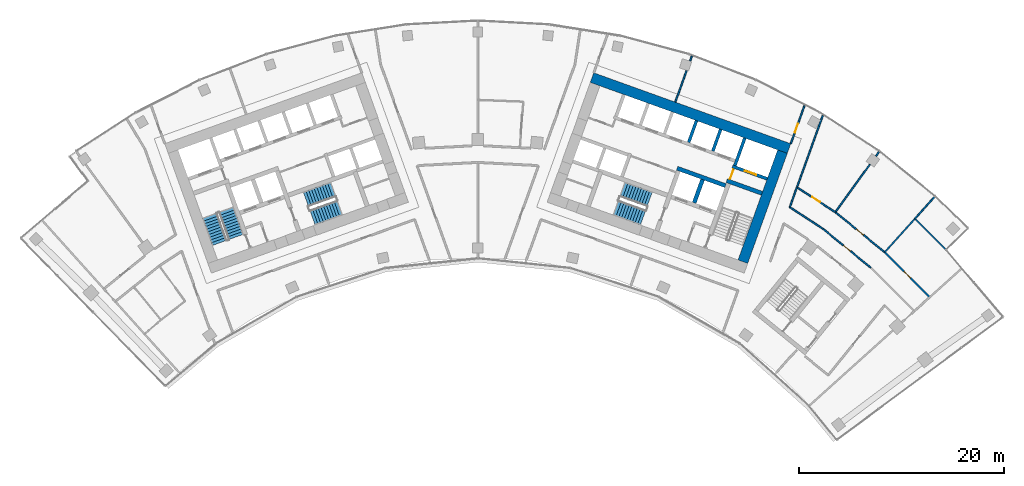
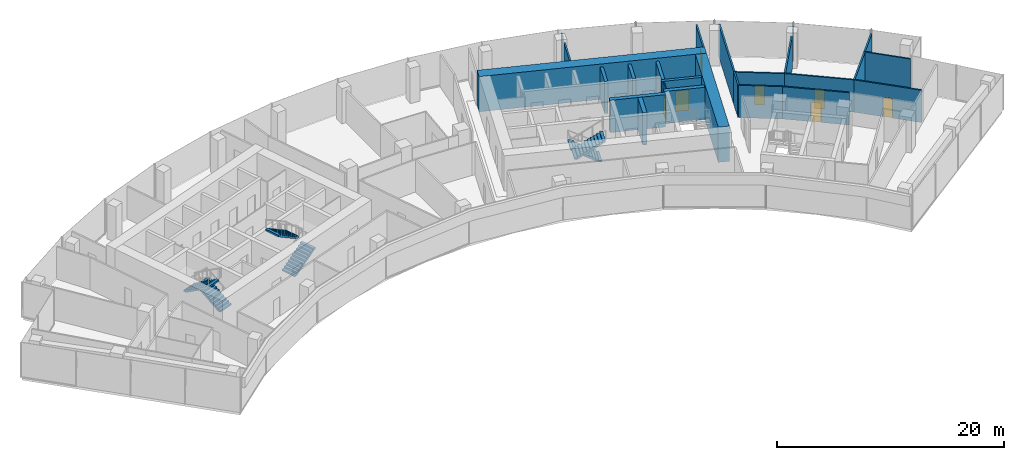
# One storey, part 16 of 18: 25 walls, 7 doors, 6 stair flights, 7 openings, 3 elements without a shape of their own.
"""IFC4 building model written with IfcOpenShell, lengths in metres."""

import ifcopenshell
import ifcopenshell.guid

model = None  # the IFC model being written
_history = None  # IfcOwnerHistory: only IFC2X3 demands one
_inside = {}  # id of a spatial element -> (the spatial element, [elements in it])
_under = {}  # id of a project, library or spatial element -> (it, [spatial elements below it])
_declared = {}  # id of a project -> (the project, [libraries it declares])
_typed = {}  # id of a type object -> (the type object, [elements of that type])
_made_of = {}  # id of a material, layer set ... -> (it, [elements and type objects made of it])


def new_model(schema):
    """Start an empty IFC model of exactly this schema.

    Asked for "IFC4X3", IfcOpenShell would pick the latest addendum, in which some entities
    have other attributes; the version numbers below select the first issue.
    IFC2X3 requires an IfcOwnerHistory on every rooted entity: one is made here for all.
    """
    global model, _history
    if schema == "IFC4X3":
        model = ifcopenshell.file(schema_version=(4, 3, 0, 0))
    else:
        model = ifcopenshell.file(schema=schema)
    _inside.clear()
    _under.clear()
    _declared.clear()
    _typed.clear()
    _made_of.clear()
    _history = None
    if model.schema == "IFC2X3":
        org = make("IfcOrganization", Name="unknown")
        user = make(
            "IfcPersonAndOrganization",
            ThePerson=make("IfcPerson", FamilyName="unknown"),
            TheOrganization=org,
        )
        app = make(
            "IfcApplication",
            ApplicationDeveloper=org,
            Version="unknown",
            ApplicationFullName="unknown",
            ApplicationIdentifier="unknown",
        )
        _history = make(
            "IfcOwnerHistory",
            OwningUser=user,
            OwningApplication=app,
            ChangeAction="ADDED",
            CreationDate=0,
        )
    return model


def make(cls, **values):
    """One entity of the class cls with the attributes given. An attribute that is None is left unset."""
    return model.create_entity(
        cls, **{name: value for name, value in values.items() if value is not None}
    )


def rooted(cls, **values):
    """An entity with a GlobalId (a new one), such as an element, a storey or a relation."""
    return make(cls, GlobalId=ifcopenshell.guid.new(), OwnerHistory=_history, **values)


def si_unit(unit_type, name, prefix=None):
    """IfcSIUnit, for example si_unit("LENGTHUNIT", "METRE", prefix="MILLI")."""
    return make("IfcSIUnit", UnitType=unit_type, Prefix=prefix, Name=name)


def assignment(units):
    """IfcUnitAssignment: the units of a project."""
    return None if units is None else make("IfcUnitAssignment", Units=units)


def point(xyz):
    """IfcCartesianPoint."""
    return None if xyz is None else make("IfcCartesianPoint", Coordinates=xyz)


def direction(xyz):
    """IfcDirection."""
    return None if xyz is None else make("IfcDirection", DirectionRatios=xyz)


def frame(location, z_axis=None, x_axis=None):
    """IfcAxis2Placement3D, a coordinate frame: its origin and axes. An axis left out is left unset."""
    return make(
        "IfcAxis2Placement3D",
        Location=point(location),
        Axis=direction(z_axis),
        RefDirection=direction(x_axis),
    )


def frame_2d(location, x_axis=None):
    """IfcAxis2Placement2D, a coordinate frame in the plane: its origin and x axis."""
    return make(
        "IfcAxis2Placement2D", Location=point(location), RefDirection=direction(x_axis)
    )


def origin():
    """The frame at (0, 0, 0) with its axes left unset."""
    return frame((0.0, 0.0, 0.0))


def place(relative_to, where):
    """IfcLocalPlacement: puts the frame where relative to a parent placement (None: the world)."""
    return make(
        "IfcLocalPlacement", PlacementRelTo=relative_to, RelativePlacement=where
    )


def context(
    kind, dimensions, precision=None, world=None, true_north=None, identifier=None
):
    """IfcGeometricRepresentationContext, for example the 3D "Model" context."""
    return make(
        "IfcGeometricRepresentationContext",
        ContextIdentifier=identifier,
        ContextType=kind,
        CoordinateSpaceDimension=dimensions,
        Precision=precision,
        WorldCoordinateSystem=world,
        TrueNorth=true_north,
    )


def subcontext(parent, identifier, kind, view, scale=None):
    """IfcGeometricRepresentationSubContext, for example "Body" below "Model"."""
    return make(
        "IfcGeometricRepresentationSubContext",
        ContextIdentifier=identifier,
        ContextType=kind,
        ParentContext=parent,
        TargetScale=scale,
        TargetView=view,
    )


def project(units=None, contexts=None):
    """IfcProject with its units and contexts."""
    return rooted(
        "IfcProject",
        Name="project",
        RepresentationContexts=contexts,
        UnitsInContext=assignment(units),
    )


def spatial(cls, under=None, at=None, **own):
    """A site, building, storey or space (cls), placed at a placement, below another one or the project."""
    s = rooted(cls, ObjectPlacement=at, **own)
    if under is not None:
        _under.setdefault(under.id(), (under, []))[1].append(s)
    return s


def polyline(points):
    """IfcPolyline through the points."""
    return make("IfcPolyline", Points=[point(p) for p in points])


def profile(cls, at=None, kind="AREA", **sizes):
    """A parametric profile (cls). Its sizes go by their IFC names, for example OverallWidth=200.0."""
    return make(cls, ProfileType=kind, Position=at, **sizes)


def rectangle(**sizes):
    """IfcRectangleProfileDef."""
    return profile("IfcRectangleProfileDef", **sizes)


def outline(outer, holes=None, kind="AREA"):
    """IfcArbitraryClosedProfileDef: a profile drawn as a closed curve; with holes, ...WithVoids."""
    if holes is None:
        return make("IfcArbitraryClosedProfileDef", ProfileType=kind, OuterCurve=outer)
    return make(
        "IfcArbitraryProfileDefWithVoids",
        ProfileType=kind,
        OuterCurve=outer,
        InnerCurves=holes,
    )


def extrude(swept, where, along, depth):
    """IfcExtrudedAreaSolid: the profile swept, set in the frame where, extruded along a direction by depth."""
    return make(
        "IfcExtrudedAreaSolid",
        SweptArea=swept,
        Position=where,
        ExtrudedDirection=direction(along),
        Depth=depth,
    )


def shape(context_of_items, identifier, shape_type, items):
    """IfcShapeRepresentation: the items that make up one representation, for example the "Body"."""
    return make(
        "IfcShapeRepresentation",
        ContextOfItems=context_of_items,
        RepresentationIdentifier=identifier,
        RepresentationType=shape_type,
        Items=items,
    )


def material(Name=None, Category=None):
    """IfcMaterial."""
    return make("IfcMaterial", Name=Name, Category=Category)


def layer(
    of_material, thickness, ventilated=None, Name=None, Category=None, Priority=None
):
    """IfcMaterialLayer: one layer of a wall or slab, of a material (None: an air gap)."""
    return make(
        "IfcMaterialLayer",
        Material=of_material,
        LayerThickness=thickness,
        IsVentilated=ventilated,
        Name=Name,
        Category=Category,
        Priority=Priority,
    )


def layer_set(layers, Name=None):
    """IfcMaterialLayerSet."""
    return make("IfcMaterialLayerSet", MaterialLayers=layers, LayerSetName=Name)


def made_of(thing, what):
    """Note that an element or type object is made of a material, layer set ...; save() writes the relation."""
    if what is not None:
        _made_of.setdefault(what.id(), (what, []))[1].append(thing)
    return thing


def type_object(cls, material=None, **own):
    """A type object (cls), such as IfcWallType, which elements share."""
    return made_of(rooted(cls, **own), material)


def element(
    cls,
    number,
    at=None,
    inside=None,
    cuts=None,
    type_object=None,
    material=None,
    context=None,
    identifier="Body",
    shape_type=None,
    held_by="IfcProductDefinitionShape",
    body=None,
    shapes=None,
    **own,
):
    """One element of the class cls, such as IfcWall. Its Tag is "e" and its number.

    at: its placement. inside: the storey or other place that contains it. cuts: it is an
    opening in that element (IfcRelVoidsElement). A single representation is given by context,
    identifier, shape_type and body (its items); several are given by shapes. held_by: the class
    of the entity that holds the representations. save() writes the other relations.
    """
    e = rooted(cls, Tag="e%d" % number, ObjectPlacement=at, **own)
    if body is not None:
        shapes = [shape(context, identifier, shape_type, body)]
    if shapes is not None:
        e.Representation = make(held_by, Representations=shapes)
    if inside is not None:
        _inside.setdefault(inside.id(), (inside, []))[1].append(e)
    if cuts is not None:
        rooted(
            "IfcRelVoidsElement", RelatingBuildingElement=cuts, RelatedOpeningElement=e
        )
    if type_object is not None:
        _typed.setdefault(type_object.id(), (type_object, []))[1].append(e)
    return made_of(e, material)


def fill(opening, filler):
    """IfcRelFillsElement: the door or window that sits in an opening."""
    return rooted(
        "IfcRelFillsElement",
        RelatingOpeningElement=opening,
        RelatedBuildingElement=filler,
    )


def aggregate(whole, parts):
    """IfcRelAggregates: a whole, such as a stair, and the parts it consists of."""
    return rooted("IfcRelAggregates", RelatingObject=whole, RelatedObjects=parts)


def save(model, path):
    """Write the relations noted so far, then the file.

    IfcRelAggregates (storeys below a building ...), IfcRelContainedInSpatialStructure (elements
    in a storey), IfcRelDefinesByType, IfcRelAssociatesMaterial and IfcRelDeclares: one each for
    every whole, place, type object, material and project.
    """
    for whole, parts in _under.values():
        aggregate(whole, parts)
    for where, things in _inside.values():
        rooted(
            "IfcRelContainedInSpatialStructure",
            RelatedElements=things,
            RelatingStructure=where,
        )
    for kind, things in _typed.values():
        rooted("IfcRelDefinesByType", RelatedObjects=things, RelatingType=kind)
    for what, things in _made_of.values():
        rooted("IfcRelAssociatesMaterial", RelatedObjects=things, RelatingMaterial=what)
    for by, libraries in _declared.values():
        rooted("IfcRelDeclares", RelatingContext=by, RelatedDefinitions=libraries)
    model.write(path)


model = new_model("IFC4")

# Units and contexts
model_context = context("Model", 3, precision=1e-05, world=origin(), true_north=direction((0.0, 1.0)))
body_context = subcontext(model_context, "Body", "Model", "MODEL_VIEW")
ifc_project = project(units=[si_unit("LENGTHUNIT", "METRE"), si_unit("AREAUNIT", "SQUARE_METRE"), si_unit("VOLUMEUNIT", "CUBIC_METRE"), si_unit("PLANEANGLEUNIT", "RADIAN"), si_unit("MASSUNIT", "GRAM", prefix="KILO")], contexts=[model_context])

# Site, building, storey
site_placement = place(None, origin())
site = spatial("IfcSite", under=ifc_project, at=site_placement, CompositionType="ELEMENT")
building_placement = place(site_placement, origin())
building = spatial("IfcBuilding", under=site, at=building_placement, Name="Stone Belt Terrace Tower", CompositionType="ELEMENT")
storey_placement = place(building_placement, frame((0.0, 0.0, 220.0)))
storey = spatial("IfcBuildingStorey", under=building, at=storey_placement, Name="L53", CompositionType="ELEMENT", Elevation=220.0)

# Wall, opening, door
ifc_material_1 = material(Name="Plasterboard partition")
ifc_layer_1 = layer(ifc_material_1, 0.10009765625)
ifc_layer_set_1 = layer_set([ifc_layer_1], Name="Core partition 100")
wall_type_1 = type_object("IfcWallType", Name="Core partition 100", PredefinedType="PARTITIONING", material=ifc_layer_set_1)
wall_1_placement = place(storey_placement, frame((24.555908203125, 51.10400390625, 0.0), z_axis=(0.0, 0.0, 1.0), x_axis=(0.338621735342, 0.94092258999, 0.0)))
wall_1 = element("IfcWall", 1, at=wall_1_placement, inside=storey, type_object=wall_type_1, Name="Core B wall", PredefinedType="PARTITIONING", context=body_context, shape_type="SweptSolid", body=[
    extrude(rectangle(XDim=1.14990234375, YDim=0.10009765625, at=frame_2d((0.574951171875, 0.0))), origin(), (0.0, 0.0, 1.0), 3.47998046875),
])
opening_1_placement = place(wall_1_placement, frame((0.050048828125, 0.0, 0.0)))
opening_1 = element("IfcOpeningElement", 2, at=opening_1_placement, cuts=wall_1, Name="Opening L53-C14", PredefinedType="OPENING", context=body_context, shape_type="SweptSolid", body=[
    extrude(rectangle(XDim=1.0, YDim=2.10009765625, at=frame_2d((0.5, 1.050048828125))), frame((0.0, 0.06005859375, 0.0), z_axis=(0.0, -1.0, 0.0), x_axis=(1.0, 0.0, 0.0)), (0.0, 0.0, 1.0), 0.1201171875),
])
ifc_material_2 = material(Name="Timber door leaf", Category="wood")
door_type_1 = type_object("IfcDoorType", Name="Core room door 1000", OperationType="SINGLE_SWING_LEFT", PredefinedType="DOOR", material=ifc_material_2)
door_1_placement = place(opening_1_placement, origin())
door_1 = element("IfcDoor", 3, at=door_1_placement, inside=storey, type_object=door_type_1, Name="Service lift lobby door core B", OperationType="SINGLE_SWING_RIGHT", OverallHeight=2.10009765625, OverallWidth=1.0, PredefinedType="DOOR", context=body_context, shape_type="SweptSolid", body=[
    extrude(rectangle(XDim=1.0, YDim=2.10009765625, at=frame_2d((0.5, 1.050048828125))), frame((0.0, 0.02490234375, 0.0), z_axis=(0.0, -1.0, 0.0), x_axis=(1.0, 0.0, 0.0)), (0.0, 0.0, 1.0), 0.050048828125),
])
fill(opening_1, door_1)

# Walls
ifc_material_3 = material(Name="Concrete B60", Category="concrete")
ifc_layer_2 = layer(ifc_material_3, 1.0)
ifc_layer_set_2 = layer_set([ifc_layer_2], Name="Core wall 1000 B60")
wall_type_2 = type_object("IfcWallType", Name="Core wall 1000 B60", PredefinedType="SHEAR", material=ifc_layer_set_2)
wall_2_placement = place(storey_placement, frame((11.12646484375, 61.038330078125, 0.0), z_axis=(0.0, 0.0, 1.0), x_axis=(0.940921428504, -0.338624962727, 0.0)))
element("IfcWall", 4, at=wall_2_placement, inside=storey, type_object=wall_type_2, Name="Core B wall convex L53", PredefinedType="SHEAR", context=body_context, shape_type="SweptSolid", body=[
    extrude(rectangle(XDim=20.400146484375, YDim=1.0, at=frame_2d((10.2001953125, 0.0))), origin(), (0.0, 0.0, 1.0), 3.800048828125),
])
wall_3_placement = place(storey_placement, frame((25.821044921875, 43.102783203125, 0.0), z_axis=(0.0, 0.0, 1.0), x_axis=(0.338625431531, 0.940921259788, 0.0)))
element("IfcWall", 5, at=wall_3_placement, inside=storey, type_object=wall_type_2, Name="Core B wall end_b L53", PredefinedType="SHEAR", context=body_context, shape_type="SweptSolid", body=[
    extrude(rectangle(XDim=11.400146484375, YDim=1.0, at=frame_2d((5.7001953125, 0.0))), origin(), (0.0, 0.0, 1.0), 3.800048828125),
])
ifc_material_4 = material(Name="Concrete B80", Category="concrete")
ifc_layer_3 = layer(ifc_material_4, 0.39990234375)
ifc_layer_set_3 = layer_set([ifc_layer_3], Name="Fire-fighting lift shaft wall 400")
wall_type_3 = type_object("IfcWallType", Name="Fire-fighting lift shaft wall 400", PredefinedType="SHEAR", material=ifc_layer_set_3)
wall_4_placement = place(storey_placement, frame((24.130615234375, 50.512939453125, 0.0), z_axis=(0.0, 0.0, 1.0), x_axis=(-0.94091168377, 0.338652038744, 0.0)))
element("IfcWall", 6, at=wall_4_placement, inside=storey, type_object=wall_type_3, Name="Core B wall", PredefinedType="SHEAR", context=body_context, shape_type="SweptSolid", body=[
    extrude(rectangle(XDim=5.000244140625, YDim=0.39990234375, at=frame_2d((2.5, 0.0))), origin(), (0.0, 0.0, 1.0), 3.47998046875),
])
wall_5_placement = place(storey_placement, frame((21.0859375, 48.845458984375, 0.0), z_axis=(0.0, 0.0, 1.0), x_axis=(0.338629416206, 0.940919825745, 0.0)))
element("IfcWall", 7, at=wall_5_placement, inside=storey, type_object=wall_type_3, Name="Core B wall", PredefinedType="SHEAR", context=body_context, shape_type="SweptSolid", body=[
    extrude(rectangle(XDim=2.400146484375, YDim=0.39990234375, at=frame_2d((1.2001953125, 0.0))), origin(), (0.0, 0.0, 1.0), 3.47998046875),
])

# Wall, opening, door
ifc_layer_4 = layer(ifc_material_4, 0.300048828125)
ifc_layer_set_4 = layer_set([ifc_layer_4], Name="Lift shaft wall 300")
wall_type_4 = type_object("IfcWallType", Name="Lift shaft wall 300", PredefinedType="SHEAR", material=ifc_layer_set_4)
wall_6_placement = place(storey_placement, frame((28.195068359375, 51.17578125, 0.0), z_axis=(0.0, 0.0, 1.0), x_axis=(-0.940901243567, 0.338681044427, 0.0)))
wall_6 = element("IfcWall", 8, at=wall_6_placement, inside=storey, type_object=wall_type_4, Name="Core B wall", PredefinedType="SHEAR", context=body_context, shape_type="SweptSolid", body=[
    extrude(rectangle(XDim=3.599853515625, YDim=0.300048828125, at=frame_2d((1.7998046875, 0.0))), origin(), (0.0, 0.0, 1.0), 3.47998046875),
])
opening_2_placement = place(wall_6_placement, frame((1.1201171875, 0.0, 0.0)))
opening_2 = element("IfcOpeningElement", 9, at=opening_2_placement, cuts=wall_6, Name="Opening L53-LD16", PredefinedType="OPENING", context=body_context, shape_type="SweptSolid", body=[
    extrude(rectangle(XDim=1.199951171875, YDim=2.199951171875, at=frame_2d((0.60009765625, 1.10009765625))), frame((0.0, 0.159912109375, 0.0), z_axis=(0.0, -1.0, 0.0), x_axis=(1.0, 0.0, 0.0)), (0.0, 0.0, 1.0), 0.320068359375),
])
ifc_material_5 = material(Name="Stainless steel door leaf", Category="steel")
door_type_2 = type_object("IfcDoorType", Name="Landing door 1200", OperationType="SLIDING_TO_LEFT", PredefinedType="DOOR", material=ifc_material_5)
door_2_placement = place(opening_2_placement, origin())
door_2 = element("IfcDoor", 10, at=door_2_placement, inside=storey, type_object=door_type_2, Name="Landing door SV1 core B", OperationType="SLIDING_TO_LEFT", OverallHeight=2.199951171875, OverallWidth=1.199951171875, PredefinedType="DOOR", context=body_context, shape_type="SweptSolid", body=[
    extrude(rectangle(XDim=1.199951171875, YDim=2.199951171875, at=frame_2d((0.60009765625, 1.10009765625))), frame((0.0, 0.02490234375, 0.0), z_axis=(0.0, -1.0, 0.0), x_axis=(1.0, 0.0, 0.0)), (0.0, 0.0, 1.0), 0.050048828125),
])
fill(opening_2, door_2)

# Walls
wall_7_placement = place(storey_placement, frame((25.046875, 52.46826171875, 0.0), z_axis=(0.0, 0.0, 1.0), x_axis=(0.338549588058, 0.940948551423, 0.0)))
element("IfcWall", 11, at=wall_7_placement, inside=storey, type_object=wall_type_4, Name="Core B wall", PredefinedType="SHEAR", context=body_context, shape_type="SweptSolid", body=[
    extrude(rectangle(XDim=2.849853515625, YDim=0.300048828125, at=frame_2d((1.4248046875, 0.0))), origin(), (0.0, 0.0, 1.0), 3.47998046875),
])
wall_8_placement = place(storey_placement, frame((22.897705078125, 53.87939453125, 0.0), z_axis=(0.0, 0.0, 1.0), x_axis=(0.338535034312, 0.940953787677, 0.0)))
element("IfcWall", 12, at=wall_8_placement, inside=storey, type_object=wall_type_4, Name="Core B wall", PredefinedType="SHEAR", context=body_context, shape_type="SweptSolid", body=[
    extrude(rectangle(XDim=2.25, YDim=0.300048828125, at=frame_2d((1.125, 0.0))), origin(), (0.0, 0.0, 1.0), 3.47998046875),
])
wall_9_placement = place(storey_placement, frame((20.54541015625, 54.72607421875, 0.0), z_axis=(0.0, 0.0, 1.0), x_axis=(0.338569601369, 0.940941350472, 0.0)))
element("IfcWall", 13, at=wall_9_placement, inside=storey, type_object=wall_type_4, Name="Core B wall", PredefinedType="SHEAR", context=body_context, shape_type="SweptSolid", body=[
    extrude(rectangle(XDim=2.249755859375, YDim=0.300048828125, at=frame_2d((1.125, 0.0))), origin(), (0.0, 0.0, 1.0), 3.47998046875),
])

# Wall, opening, door
ifc_material_6 = material(Name="Gypsum board partition")
ifc_layer_5 = layer(ifc_material_6, 0.14990234375)
ifc_layer_set_5 = layer_set([ifc_layer_5], Name="PARTITION 150 EI 60")
wall_type_5 = type_object("IfcWallType", Name="PARTITION 150 EI 60", PredefinedType="PARTITIONING", material=ifc_layer_set_5)
wall_10_placement = place(storey_placement, frame((30.490966796875, 54.60107421875, 0.0), z_axis=(0.0, 0.0, 1.0), x_axis=(0.338542007836, 0.940951278723, 0.0)))
wall_10 = element("IfcWall", 14, at=wall_10_placement, inside=storey, type_object=wall_type_5, Name="L53/wall/i022", PredefinedType="PARTITIONING", context=body_context, shape_type="SweptSolid", body=[
    extrude(rectangle(XDim=3.946044921875, YDim=0.14990234375, at=frame_2d((1.97314453125, 0.0))), origin(), (0.0, 0.0, 1.0), 3.47998046875),
])
opening_3_placement = place(wall_10_placement, frame((1.15625, 0.0, 0.0)))
opening_3 = element("IfcOpeningElement", 15, at=opening_3_placement, cuts=wall_10, Name="Opening D-D3-08", PredefinedType="OPENING", context=body_context, shape_type="SweptSolid", body=[
    extrude(rectangle(XDim=0.89990234375, YDim=2.10009765625, at=frame_2d((0.449951171875, 1.050048828125))), frame((0.0, 0.0849609375, 0.0), z_axis=(0.0, -1.0, 0.0), x_axis=(1.0, 0.0, 0.0)), (0.0, 0.0, 1.0), 0.169921875),
])
door_type_3 = type_object("IfcDoorType", Name="OFFICE DOOR 900 X 2100", OperationType="NOTDEFINED", PredefinedType="DOOR", material=ifc_material_2)
door_3_placement = place(opening_3_placement, origin())
door_3 = element("IfcDoor", 16, at=door_3_placement, inside=storey, type_object=door_type_3, Name="L53/door/i08", OperationType="SINGLE_SWING_LEFT", OverallHeight=2.10009765625, OverallWidth=0.89990234375, PredefinedType="DOOR", context=body_context, shape_type="SweptSolid", body=[
    extrude(rectangle(XDim=0.89990234375, YDim=2.10009765625, at=frame_2d((0.449951171875, 1.050048828125))), frame((0.0, 0.02490234375, 0.0), z_axis=(0.0, -1.0, 0.0), x_axis=(1.0, 0.0, 0.0)), (0.0, 0.0, 1.0), 0.050048828125),
])
fill(opening_3, door_3)

# Walls
wall_11_placement = place(storey_placement, frame((31.092041015625, 50.363037109375, 0.0), z_axis=(0.0, 0.0, 1.0), x_axis=(-0.338719468273, -0.940887411869, 0.0)))
element("IfcWall", 17, at=wall_11_placement, inside=storey, type_object=wall_type_5, Name="L53/wall/i025", PredefinedType="PARTITIONING", context=body_context, shape_type="SweptSolid", body=[
    extrude(rectangle(XDim=2.075927734375, YDim=0.14990234375, at=frame_2d((1.0380859375, 0.0))), origin(), (0.0, 0.0, 1.0), 3.47998046875),
])
wall_12_placement = place(storey_placement, frame((33.60791015625, 57.35400390625, 0.0), z_axis=(0.0, 0.0, 1.0), x_axis=(-0.33863814551, -0.940916684094, 0.0)))
element("IfcWall", 18, at=wall_12_placement, inside=storey, type_object=wall_type_5, Name="L53/wall/i026", PredefinedType="PARTITIONING", context=body_context, shape_type="SweptSolid", body=[
    extrude(rectangle(XDim=7.441650390625, YDim=0.14990234375, at=frame_2d((3.720703125, 0.0))), origin(), (0.0, 0.0, 1.0), 3.47998046875),
])
wall_13_placement = place(storey_placement, frame((20.850830078125, 63.129150390625, 0.0), z_axis=(0.0, 0.0, 1.0), x_axis=(-0.338454301599, -0.940982829667, 0.0)))
element("IfcWall", 19, at=wall_13_placement, inside=storey, type_object=wall_type_5, Name="L53/wall/i030", PredefinedType="PARTITIONING", context=body_context, shape_type="SweptSolid", body=[
    extrude(rectangle(XDim=0.489013671875, YDim=0.14990234375, at=frame_2d((0.24462890625, 0.0))), origin(), (0.0, 0.0, 1.0), 3.47998046875),
])
wall_14_placement = place(storey_placement, frame((20.343017578125, 61.71826171875, 0.0), z_axis=(0.0, 0.0, 1.0), x_axis=(-0.33855509188, -0.940946571152, 0.0)))
element("IfcWall", 20, at=wall_14_placement, inside=storey, type_object=wall_type_5, Name="L53/wall/i031", PredefinedType="PARTITIONING", context=body_context, shape_type="SweptSolid", body=[
    extrude(rectangle(XDim=3.260986328125, YDim=0.14990234375, at=frame_2d((1.63037109375, 0.0))), origin(), (0.0, 0.0, 1.0), 3.47998046875),
])
wall_15_placement = place(storey_placement, frame((30.39111328125, 48.4150390625, 0.0), z_axis=(0.0, 0.0, 1.0), x_axis=(0.837265796004, -0.546796110851, 0.0)))
element("IfcWall", 21, at=wall_15_placement, inside=storey, type_object=wall_type_5, Name="L53/wall/i054", PredefinedType="PARTITIONING", context=body_context, shape_type="SweptSolid", body=[
    extrude(rectangle(XDim=3.87548828125, YDim=0.14990234375, at=frame_2d((1.937744140625, 0.0))), origin(), (0.0, 0.0, 1.0), 3.47998046875),
])

# Wall, opening, door
wall_16_placement = place(storey_placement, frame((33.635986328125, 46.2958984375, 0.0), z_axis=(0.0, 0.0, 1.0), x_axis=(0.777109127033, -0.629365875054, 0.0)))
wall_16 = element("IfcWall", 22, at=wall_16_placement, inside=storey, type_object=wall_type_5, Name="L53/wall/i055", PredefinedType="PARTITIONING", context=body_context, shape_type="SweptSolid", body=[
    extrude(rectangle(XDim=5.990234375, YDim=0.14990234375, at=frame_2d((2.9951171875, 0.0))), origin(), (0.0, 0.0, 1.0), 3.47998046875),
])
opening_4_placement = place(wall_16_placement, frame((2.545166015625, 0.0, 0.0)))
opening_4 = element("IfcOpeningElement", 23, at=opening_4_placement, cuts=wall_16, Name="Opening D-D3-19", PredefinedType="OPENING", context=body_context, shape_type="SweptSolid", body=[
    extrude(rectangle(XDim=0.89990234375, YDim=2.10009765625, at=frame_2d((0.449951171875, 1.050048828125))), frame((0.0, 0.0849609375, 0.0), z_axis=(0.0, -1.0, 0.0), x_axis=(1.0, 0.0, 0.0)), (0.0, 0.0, 1.0), 0.169921875),
])
door_4_placement = place(opening_4_placement, origin())
door_4 = element("IfcDoor", 24, at=door_4_placement, inside=storey, type_object=door_type_3, Name="L53/door/i19", OperationType="SINGLE_SWING_RIGHT", OverallHeight=2.10009765625, OverallWidth=0.89990234375, PredefinedType="DOOR", context=body_context, shape_type="SweptSolid", body=[
    extrude(rectangle(XDim=0.89990234375, YDim=2.10009765625, at=frame_2d((0.449951171875, 1.050048828125))), frame((0.0, 0.02490234375, 0.0), z_axis=(0.0, -1.0, 0.0), x_axis=(1.0, 0.0, 0.0)), (0.0, 0.0, 1.0), 0.050048828125),
])
fill(opening_4, door_4)

wall_17_placement = place(storey_placement, frame((31.090087890625, 50.35693359375, 0.0), z_axis=(0.0, 0.0, 1.0), x_axis=(0.838646515126, -0.544676071319, 0.0)))
wall_17 = element("IfcWall", 25, at=wall_17_placement, inside=storey, type_object=wall_type_5, Name="L53/wall/i061", PredefinedType="PARTITIONING", context=body_context, shape_type="SweptSolid", body=[
    extrude(rectangle(XDim=4.452392578125, YDim=0.14990234375, at=frame_2d((2.22607421875, 0.0))), origin(), (0.0, 0.0, 1.0), 3.47998046875),
])
opening_5_placement = place(wall_17_placement, frame((1.776123046875, 0.0, 0.0)))
opening_5 = element("IfcOpeningElement", 26, at=opening_5_placement, cuts=wall_17, Name="Opening D-D3-20", PredefinedType="OPENING", context=body_context, shape_type="SweptSolid", body=[
    extrude(rectangle(XDim=0.89990234375, YDim=2.10009765625, at=frame_2d((0.449951171875, 1.050048828125))), frame((0.0, 0.0849609375, 0.0), z_axis=(0.0, -1.0, 0.0), x_axis=(1.0, 0.0, 0.0)), (0.0, 0.0, 1.0), 0.169921875),
])
door_5_placement = place(opening_5_placement, origin())
door_5 = element("IfcDoor", 27, at=door_5_placement, inside=storey, type_object=door_type_3, Name="L53/door/i20", OperationType="SINGLE_SWING_RIGHT", OverallHeight=2.10009765625, OverallWidth=0.89990234375, PredefinedType="DOOR", context=body_context, shape_type="SweptSolid", body=[
    extrude(rectangle(XDim=0.89990234375, YDim=2.10009765625, at=frame_2d((0.449951171875, 1.050048828125))), frame((0.0, 0.02490234375, 0.0), z_axis=(0.0, -1.0, 0.0), x_axis=(1.0, 0.0, 0.0)), (0.0, 0.0, 1.0), 0.050048828125),
])
fill(opening_5, door_5)

wall_18_placement = place(storey_placement, frame((34.823974609375, 47.931884765625, 0.0), z_axis=(0.0, 0.0, 1.0), x_axis=(0.777176112755, -0.629283155473, 0.0)))
wall_18 = element("IfcWall", 28, at=wall_18_placement, inside=storey, type_object=wall_type_5, Name="L53/wall/i062", PredefinedType="PARTITIONING", context=body_context, shape_type="SweptSolid", body=[
    extrude(rectangle(XDim=6.2021484375, YDim=0.14990234375, at=frame_2d((3.10107421875, 0.0))), origin(), (0.0, 0.0, 1.0), 3.47998046875),
])
opening_6_placement = place(wall_18_placement, frame((2.651123046875, 0.0, 0.0)))
opening_6 = element("IfcOpeningElement", 29, at=opening_6_placement, cuts=wall_18, Name="Opening D-D3-21", PredefinedType="OPENING", context=body_context, shape_type="SweptSolid", body=[
    extrude(rectangle(XDim=0.89990234375, YDim=2.10009765625, at=frame_2d((0.449951171875, 1.050048828125))), frame((0.0, 0.0849609375, 0.0), z_axis=(0.0, -1.0, 0.0), x_axis=(1.0, 0.0, 0.0)), (0.0, 0.0, 1.0), 0.169921875),
])
door_6_placement = place(opening_6_placement, origin())
door_6 = element("IfcDoor", 30, at=door_6_placement, inside=storey, type_object=door_type_3, Name="L53/door/i21", OperationType="SINGLE_SWING_RIGHT", OverallHeight=2.10009765625, OverallWidth=0.89990234375, PredefinedType="DOOR", context=body_context, shape_type="SweptSolid", body=[
    extrude(rectangle(XDim=0.89990234375, YDim=2.10009765625, at=frame_2d((0.449951171875, 1.050048828125))), frame((0.0, 0.02490234375, 0.0), z_axis=(0.0, -1.0, 0.0), x_axis=(1.0, 0.0, 0.0)), (0.0, 0.0, 1.0), 0.050048828125),
])
fill(opening_6, door_6)

wall_19_placement = place(storey_placement, frame((39.639892578125, 44.032958984375, 0.0), z_axis=(0.0, 0.0, 1.0), x_axis=(0.707126447351, -0.707087114475, 0.0)))
wall_19 = element("IfcWall", 31, at=wall_19_placement, inside=storey, type_object=wall_type_5, Name="L53/wall/i063", PredefinedType="PARTITIONING", context=body_context, shape_type="SweptSolid", body=[
    extrude(rectangle(XDim=6.20703125, YDim=0.14990234375, at=frame_2d((3.103515625, 0.0))), origin(), (0.0, 0.0, 1.0), 3.47998046875),
])
opening_7_placement = place(wall_19_placement, frame((2.653564453125, 0.0, 0.0)))
opening_7 = element("IfcOpeningElement", 32, at=opening_7_placement, cuts=wall_19, Name="Opening D-D3-22", PredefinedType="OPENING", context=body_context, shape_type="SweptSolid", body=[
    extrude(rectangle(XDim=0.89990234375, YDim=2.10009765625, at=frame_2d((0.449951171875, 1.050048828125))), frame((0.0, 0.0849609375, 0.0), z_axis=(0.0, -1.0, 0.0), x_axis=(1.0, 0.0, 0.0)), (0.0, 0.0, 1.0), 0.169921875),
])
door_7_placement = place(opening_7_placement, origin())
door_7 = element("IfcDoor", 33, at=door_7_placement, inside=storey, type_object=door_type_3, Name="L53/door/i22", OperationType="SINGLE_SWING_RIGHT", OverallHeight=2.10009765625, OverallWidth=0.89990234375, PredefinedType="DOOR", context=body_context, shape_type="SweptSolid", body=[
    extrude(rectangle(XDim=0.89990234375, YDim=2.10009765625, at=frame_2d((0.449951171875, 1.050048828125))), frame((0.0, 0.02490234375, 0.0), z_axis=(0.0, -1.0, 0.0), x_axis=(1.0, 0.0, 0.0)), (0.0, 0.0, 1.0), 0.050048828125),
])
fill(opening_7, door_7)

# Walls
wall_20_placement = place(storey_placement, frame((39.087890625, 53.7998046875, 0.0), z_axis=(0.0, 0.0, 1.0), x_axis=(-0.588057050604, -0.808819451568, 0.0)))
element("IfcWall", 34, at=wall_20_placement, inside=storey, type_object=wall_type_5, Name="L53/wall/i064", PredefinedType="PARTITIONING", context=body_context, shape_type="SweptSolid", body=[
    extrude(rectangle(XDim=0.506591796875, YDim=0.14990234375, at=frame_2d((0.25341796875, 0.0))), origin(), (0.0, 0.0, 1.0), 3.47998046875),
])
wall_21_placement = place(storey_placement, frame((38.196533203125, 52.572998046875, 0.0), z_axis=(0.0, 0.0, 1.0), x_axis=(-0.587741422295, -0.809048836918, 0.0)))
element("IfcWall", 35, at=wall_21_placement, inside=storey, type_object=wall_type_5, Name="L53/wall/i065", PredefinedType="PARTITIONING", context=body_context, shape_type="SweptSolid", body=[
    extrude(rectangle(XDim=5.736572265625, YDim=0.14990234375, at=frame_2d((2.8681640625, 0.0))), origin(), (0.0, 0.0, 1.0), 3.47998046875),
])
wall_22_placement = place(storey_placement, frame((42.592041015625, 47.302978515625, 0.0), z_axis=(0.0, 0.0, 1.0), x_axis=(-0.669148410698, -0.743128793992, 0.0)))
element("IfcWall", 36, at=wall_22_placement, inside=storey, type_object=wall_type_5, Name="L53/wall/i066", PredefinedType="PARTITIONING", context=body_context, shape_type="SweptSolid", body=[
    extrude(rectangle(XDim=4.405517578125, YDim=0.14990234375, at=frame_2d((2.20263671875, 0.0))), origin(), (0.0, 0.0, 1.0), 3.47998046875),
])
wall_23_placement = place(storey_placement, frame((44.496826171875, 49.419189453125, 0.0), z_axis=(0.0, 0.0, 1.0), x_axis=(-0.669158170693, -0.743120005514, 0.0)))
element("IfcWall", 37, at=wall_23_placement, inside=storey, type_object=wall_type_5, Name="L53/wall/i067", PredefinedType="PARTITIONING", context=body_context, shape_type="SweptSolid", body=[
    extrude(rectangle(XDim=2.858642578125, YDim=0.14990234375, at=frame_2d((1.42919921875, 0.0))), origin(), (0.0, 0.0, 1.0), 3.47998046875),
])
wall_24_placement = place(storey_placement, frame((42.587890625, 47.299072265625, 0.0), z_axis=(0.0, 0.0, 1.0), x_axis=(0.707106781187, -0.707106781187, 0.0)))
element("IfcWall", 38, at=wall_24_placement, inside=storey, type_object=wall_type_5, Name="L53/wall/i068", PredefinedType="PARTITIONING", context=body_context, shape_type="SweptSolid", body=[
    extrude(rectangle(XDim=4.2099609375, YDim=0.14990234375, at=frame_2d((2.10498046875, 0.0))), origin(), (0.0, 0.0, 1.0), 3.47998046875),
])
ifc_layer_6 = layer(ifc_material_4, 0.39990234375)
ifc_layer_set_6 = layer_set([ifc_layer_6], Name="Stair enclosure wall 400")
wall_type_6 = type_object("IfcWallType", Name="Stair enclosure wall 400", PredefinedType="SHEAR", material=ifc_layer_set_6)
wall_25_placement = place(storey_placement, frame((27.687255859375, 49.764404296875, 0.0), z_axis=(0.0, 0.0, 1.0), x_axis=(-0.940918954884, 0.338631835981, 0.0)))
element("IfcWall", 39, at=wall_25_placement, inside=storey, type_object=wall_type_6, Name="Core B wall", PredefinedType="SHEAR", context=body_context, shape_type="SweptSolid", body=[
    extrude(rectangle(XDim=3.650146484375, YDim=0.39990234375, at=frame_2d((1.8251953125, 0.0))), origin(), (0.0, 0.0, 1.0), 3.47998046875),
])

# Stair, stair flights
ifc_material_7 = material(Name="Concrete B40", Category="concrete")
stair_type = type_object("IfcStairType", Name="Exit stair 1500", PredefinedType="HALF_TURN_STAIR", material=ifc_material_7)
stair_1_placement = place(storey_placement, origin())
stair_1 = element("IfcStair", 40, at=stair_1_placement, inside=storey, type_object=stair_type, Name="L53 Exit stair 1 core A", PredefinedType="HALF_TURN_STAIR")
stair_flight_type = type_object("IfcStairFlightType", Name="Stair flight 1500", PredefinedType="STRAIGHT", material=ifc_material_7)
stair_flight_1_placement = place(storey_placement, frame((-23.55322265625, 45.51318359375, 0.0), z_axis=(0.0, 0.0, 1.0), x_axis=(-0.338624396177, 0.940921632398, 0.0)))
stair_flight_1 = element("IfcStairFlight", 41, at=stair_flight_1_placement, type_object=stair_flight_type, Name="ST1A flight 1", NumberOfRisers=11, NumberOfTreads=10, PredefinedType="STRAIGHT", RiserHeight=0.172727273, TreadLength=0.28, context=body_context, shape_type="SweptSolid", body=[
    extrude(outline(polyline([(0.0, 0.0), (0.0, 0.172607421875), (0.280029296875, 0.172607421875), (0.280029296875, 0.345458984375), (0.56005859375, 0.345458984375), (0.56005859375, 0.51806640625), (0.840087890625, 0.51806640625), (0.840087890625, 0.69091796875), (1.1201171875, 0.69091796875), (1.1201171875, 0.863525390625), (1.39990234375, 0.863525390625), (1.39990234375, 1.036376953125), (1.679931640625, 1.036376953125), (1.679931640625, 1.208984375), (1.9599609375, 1.208984375), (1.9599609375, 1.3818359375), (2.239990234375, 1.3818359375), (2.239990234375, 1.554443359375), (2.52001953125, 1.554443359375), (2.52001953125, 1.727294921875), (2.800048828125, 1.727294921875), (2.800048828125, 1.89990234375), (2.800048828125, 1.551025390625), (0.285400390625, 0.0), (0.0, 0.0)])), frame((0.0, 0.75, 0.0), z_axis=(0.0, -1.0, 0.0), x_axis=(1.0, 0.0, 0.0)), (0.0, 0.0, 1.0), 1.5),
])
stair_flight_2_placement = place(storey_placement, frame((-26.10107421875, 47.572021484375, 1.89990234375), z_axis=(0.0, 0.0, 1.0), x_axis=(0.338624396177, -0.940921632398, 0.0)))
stair_flight_2 = element("IfcStairFlight", 42, at=stair_flight_2_placement, type_object=stair_flight_type, Name="ST1A flight 2", NumberOfRisers=11, NumberOfTreads=10, PredefinedType="STRAIGHT", RiserHeight=0.172727273, TreadLength=0.28, context=body_context, shape_type="SweptSolid", body=[
    extrude(outline(polyline([(0.0, 0.0), (0.0, 0.172607421875), (0.280029296875, 0.172607421875), (0.280029296875, 0.345458984375), (0.56005859375, 0.345458984375), (0.56005859375, 0.51806640625), (0.840087890625, 0.51806640625), (0.840087890625, 0.69091796875), (1.1201171875, 0.69091796875), (1.1201171875, 0.863525390625), (1.39990234375, 0.863525390625), (1.39990234375, 1.036376953125), (1.679931640625, 1.036376953125), (1.679931640625, 1.208984375), (1.9599609375, 1.208984375), (1.9599609375, 1.3818359375), (2.239990234375, 1.3818359375), (2.239990234375, 1.554443359375), (2.52001953125, 1.554443359375), (2.52001953125, 1.727294921875), (2.800048828125, 1.727294921875), (2.800048828125, 1.89990234375), (2.800048828125, 1.551025390625), (0.285400390625, 0.0), (0.0, 0.0)])), frame((0.0, 0.75, 0.0), z_axis=(0.0, -1.0, 0.0), x_axis=(1.0, 0.0, 0.0)), (0.0, 0.0, 1.0), 1.5),
])
aggregate(stair_1, [stair_flight_1, stair_flight_2])

stair_2_placement = place(storey_placement, origin())
stair_2 = element("IfcStair", 43, at=stair_2_placement, inside=storey, type_object=stair_type, Name="L53 Exit stair 2 core A", PredefinedType="HALF_TURN_STAIR")
stair_flight_3_placement = place(storey_placement, frame((-16.101318359375, 47.39794921875, 0.0), z_axis=(0.0, 0.0, 1.0), x_axis=(0.940921632398, 0.338624396177, 0.0)))
stair_flight_3 = element("IfcStairFlight", 44, at=stair_flight_3_placement, type_object=stair_flight_type, Name="ST2A flight 1", NumberOfRisers=11, NumberOfTreads=10, PredefinedType="STRAIGHT", RiserHeight=0.172727273, TreadLength=0.28, context=body_context, shape_type="SweptSolid", body=[
    extrude(outline(polyline([(0.0, 0.0), (0.0, 0.172607421875), (0.280029296875, 0.172607421875), (0.280029296875, 0.345458984375), (0.56005859375, 0.345458984375), (0.56005859375, 0.51806640625), (0.840087890625, 0.51806640625), (0.840087890625, 0.69091796875), (1.1201171875, 0.69091796875), (1.1201171875, 0.863525390625), (1.39990234375, 0.863525390625), (1.39990234375, 1.036376953125), (1.679931640625, 1.036376953125), (1.679931640625, 1.208984375), (1.9599609375, 1.208984375), (1.9599609375, 1.3818359375), (2.239990234375, 1.3818359375), (2.239990234375, 1.554443359375), (2.52001953125, 1.554443359375), (2.52001953125, 1.727294921875), (2.800048828125, 1.727294921875), (2.800048828125, 1.89990234375), (2.800048828125, 1.551025390625), (0.285400390625, 0.0), (0.0, 0.0)])), frame((0.0, 0.75, 0.0), z_axis=(0.0, -1.0, 0.0), x_axis=(1.0, 0.0, 0.0)), (0.0, 0.0, 1.0), 1.5),
])
stair_flight_4_placement = place(storey_placement, frame((-14.110107421875, 50.1337890625, 1.89990234375), z_axis=(0.0, 0.0, 1.0), x_axis=(-0.940921632398, -0.338624396177, 0.0)))
stair_flight_4 = element("IfcStairFlight", 45, at=stair_flight_4_placement, type_object=stair_flight_type, Name="ST2A flight 2", NumberOfRisers=11, NumberOfTreads=10, PredefinedType="STRAIGHT", RiserHeight=0.172727273, TreadLength=0.28, context=body_context, shape_type="SweptSolid", body=[
    extrude(outline(polyline([(0.0, 0.0), (0.0, 0.172607421875), (0.280029296875, 0.172607421875), (0.280029296875, 0.345458984375), (0.56005859375, 0.345458984375), (0.56005859375, 0.51806640625), (0.840087890625, 0.51806640625), (0.840087890625, 0.69091796875), (1.1201171875, 0.69091796875), (1.1201171875, 0.863525390625), (1.39990234375, 0.863525390625), (1.39990234375, 1.036376953125), (1.679931640625, 1.036376953125), (1.679931640625, 1.208984375), (1.9599609375, 1.208984375), (1.9599609375, 1.3818359375), (2.239990234375, 1.3818359375), (2.239990234375, 1.554443359375), (2.52001953125, 1.554443359375), (2.52001953125, 1.727294921875), (2.800048828125, 1.727294921875), (2.800048828125, 1.89990234375), (2.800048828125, 1.551025390625), (0.285400390625, 0.0), (0.0, 0.0)])), frame((0.0, 0.75, 0.0), z_axis=(0.0, -1.0, 0.0), x_axis=(1.0, 0.0, 0.0)), (0.0, 0.0, 1.0), 1.5),
])
aggregate(stair_2, [stair_flight_3, stair_flight_4])

stair_3_placement = place(storey_placement, origin())
stair_3 = element("IfcStair", 46, at=stair_3_placement, inside=storey, type_object=stair_type, Name="L53 Exit stair 2 core B", PredefinedType="HALF_TURN_STAIR")
stair_flight_5_placement = place(storey_placement, frame((16.74462890625, 49.185546875, 0.0), z_axis=(0.0, 0.0, 1.0), x_axis=(-0.940921632398, 0.338624396177, 0.0)))
stair_flight_5 = element("IfcStairFlight", 47, at=stair_flight_5_placement, type_object=stair_flight_type, Name="ST2B flight 1", NumberOfRisers=11, NumberOfTreads=10, PredefinedType="STRAIGHT", RiserHeight=0.172727273, TreadLength=0.28, context=body_context, shape_type="SweptSolid", body=[
    extrude(outline(polyline([(0.0, 0.0), (0.0, 0.172607421875), (0.280029296875, 0.172607421875), (0.280029296875, 0.345458984375), (0.56005859375, 0.345458984375), (0.56005859375, 0.51806640625), (0.840087890625, 0.51806640625), (0.840087890625, 0.69091796875), (1.1201171875, 0.69091796875), (1.1201171875, 0.863525390625), (1.39990234375, 0.863525390625), (1.39990234375, 1.036376953125), (1.679931640625, 1.036376953125), (1.679931640625, 1.208984375), (1.9599609375, 1.208984375), (1.9599609375, 1.3818359375), (2.239990234375, 1.3818359375), (2.239990234375, 1.554443359375), (2.52001953125, 1.554443359375), (2.52001953125, 1.727294921875), (2.800048828125, 1.727294921875), (2.800048828125, 1.89990234375), (2.800048828125, 1.551025390625), (0.285400390625, 0.0), (0.0, 0.0)])), frame((0.0, 0.75, 0.0), z_axis=(0.0, -1.0, 0.0), x_axis=(1.0, 0.0, 0.0)), (0.0, 0.0, 1.0), 1.5),
])
stair_flight_6_placement = place(storey_placement, frame((13.466796875, 48.345947265625, 1.89990234375), z_axis=(0.0, 0.0, 1.0), x_axis=(0.940921632398, -0.338624396177, 0.0)))
stair_flight_6 = element("IfcStairFlight", 48, at=stair_flight_6_placement, type_object=stair_flight_type, Name="ST2B flight 2", NumberOfRisers=11, NumberOfTreads=10, PredefinedType="STRAIGHT", RiserHeight=0.172727273, TreadLength=0.28, context=body_context, shape_type="SweptSolid", body=[
    extrude(outline(polyline([(0.0, 0.0), (0.0, 0.172607421875), (0.280029296875, 0.172607421875), (0.280029296875, 0.345458984375), (0.56005859375, 0.345458984375), (0.56005859375, 0.51806640625), (0.840087890625, 0.51806640625), (0.840087890625, 0.69091796875), (1.1201171875, 0.69091796875), (1.1201171875, 0.863525390625), (1.39990234375, 0.863525390625), (1.39990234375, 1.036376953125), (1.679931640625, 1.036376953125), (1.679931640625, 1.208984375), (1.9599609375, 1.208984375), (1.9599609375, 1.3818359375), (2.239990234375, 1.3818359375), (2.239990234375, 1.554443359375), (2.52001953125, 1.554443359375), (2.52001953125, 1.727294921875), (2.800048828125, 1.727294921875), (2.800048828125, 1.89990234375), (2.800048828125, 1.551025390625), (0.285400390625, 0.0), (0.0, 0.0)])), frame((0.0, 0.75, 0.0), z_axis=(0.0, -1.0, 0.0), x_axis=(1.0, 0.0, 0.0)), (0.0, 0.0, 1.0), 1.5),
])
aggregate(stair_3, [stair_flight_5, stair_flight_6])

save(model, "model.ifc")
